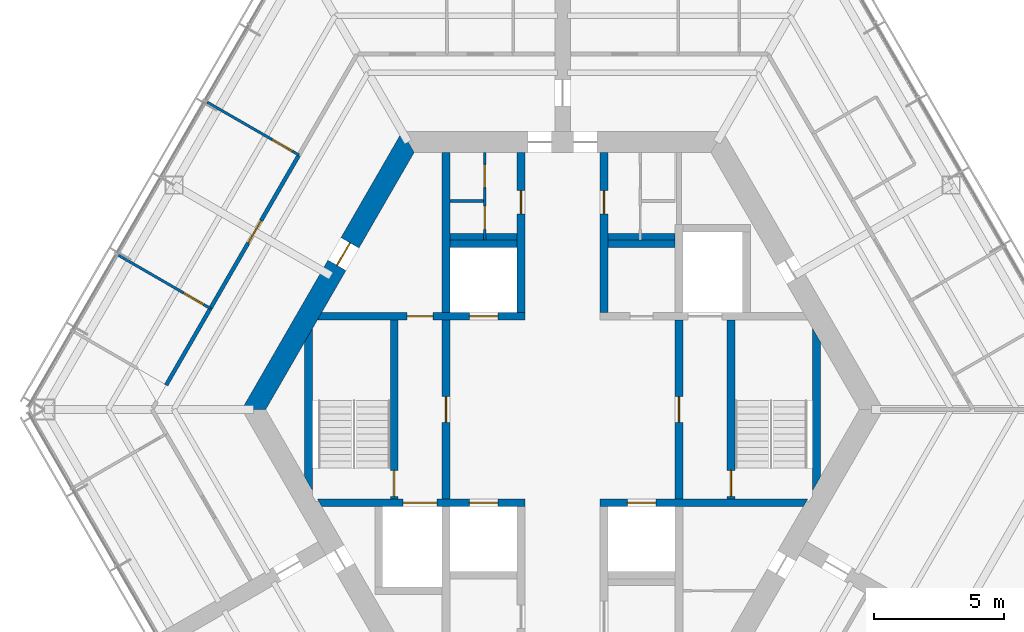
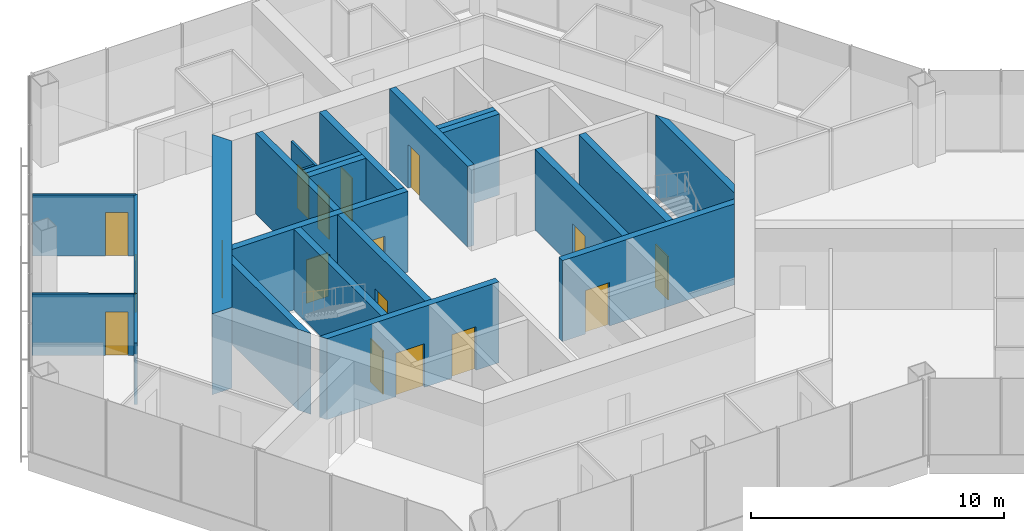
# One storey, part 8 of 13: 23 walls, 17 doors, 17 openings.
"""IFC4 building model written with IfcOpenShell, lengths in metres."""

from ifc_helpers import new_model, si_unit, direction, frame, frame_2d, origin, place, context, subcontext, project, spatial, polyline, rectangle, outline, extrude, material, layer, layer_set, type_object, element, fill, save


model = new_model("IFC4")

# Units and contexts
model_context = context("Model", 3, precision=1e-05, world=origin(), true_north=direction((0.0, 1.0)))
body_context = subcontext(model_context, "Body", "Model", "MODEL_VIEW")
ifc_project = project(units=[si_unit("LENGTHUNIT", "METRE"), si_unit("AREAUNIT", "SQUARE_METRE"), si_unit("VOLUMEUNIT", "CUBIC_METRE"), si_unit("PLANEANGLEUNIT", "RADIAN"), si_unit("MASSUNIT", "GRAM", prefix="KILO")], contexts=[model_context])

# Site, building, storey
site_placement = place(None, origin())
site = spatial("IfcSite", under=ifc_project, at=site_placement, CompositionType="ELEMENT")
building_placement = place(site_placement, origin())
building = spatial("IfcBuilding", under=site, at=building_placement, Name="Kasaneha Research Tower", CompositionType="ELEMENT")
storey_placement = place(building_placement, frame((0.0, 0.0, 271.300048828125)))
storey = spatial("IfcBuildingStorey", under=building, at=storey_placement, Name="L68", CompositionType="ELEMENT", Elevation=271.300048828125)

# Wall, openings, doors
ifc_material_1 = material(Name="Concrete Fc60", Category="concrete")
ifc_layer_1 = layer(ifc_material_1, 0.300048828125)
ifc_layer_set_1 = layer_set([ifc_layer_1], Name="Core internal wall 300 Fc60")
wall_type_1 = type_object("IfcWallType", Name="Core internal wall 300 Fc60", PredefinedType="SHEAR", material=ifc_layer_set_1)
wall_1_placement = place(storey_placement, frame((-9.3818359375, 3.60009765625, 0.0), z_axis=(0.0, 0.0, 1.0), x_axis=(1.0, 0.0, 0.0)))
wall_1 = element("IfcWall", 1, at=wall_1_placement, inside=storey, type_object=wall_type_1, Name="Core wall W1W L68", PredefinedType="SHEAR", context=body_context, shape_type="SweptSolid", body=[
    extrude(outline(polyline([(-0.086669921875, -0.14990234375), (3.3818359375, -0.14990234375), (4.3818359375, -0.14990234375), (5.781982421875, -0.14990234375), (6.882080078125, -0.14990234375), (7.931884765625, -0.14990234375), (7.931884765625, 0.14990234375), (6.882080078125, 0.14990234375), (5.781982421875, 0.14990234375), (4.3818359375, 0.14990234375), (3.3818359375, 0.14990234375), (0.086669921875, 0.14990234375), (-0.086669921875, -0.14990234375)])), origin(), (0.0, 0.0, 1.0), 3.89990234375),
])
opening_1_placement = place(wall_1_placement, frame((3.3818359375, 0.0, 0.0)))
opening_1 = element("IfcOpeningElement", 2, at=opening_1_placement, cuts=wall_1, Name="Opening L68-D12", PredefinedType="OPENING", context=body_context, shape_type="SweptSolid", body=[
    extrude(rectangle(XDim=1.0, YDim=2.10009765625, at=frame_2d((0.5, 1.050048828125))), frame((0.0, 0.16015625, 0.0), z_axis=(0.0, -1.0, 0.0), x_axis=(1.0, 0.0, 0.0)), (0.0, 0.0, 1.0), 0.320068359375),
])
opening_2_placement = place(wall_1_placement, frame((5.781982421875, 0.0, 0.0)))
opening_2 = element("IfcOpeningElement", 3, at=opening_2_placement, cuts=wall_1, Name="Opening LD-LH2-L68", PredefinedType="OPENING", context=body_context, shape_type="SweptSolid", body=[
    extrude(rectangle(XDim=1.10009765625, YDim=2.10009765625, at=frame_2d((0.550048828125, 1.050048828125))), frame((0.0, 0.16015625, 0.0), z_axis=(0.0, -1.0, 0.0), x_axis=(1.0, 0.0, 0.0)), (0.0, 0.0, 1.0), 0.320068359375),
])
ifc_material_2 = material(Name="Steel", Category="steel")
door_type_1 = type_object("IfcDoorType", Name="Lift landing door 1100x2100", OperationType="DOUBLE_DOOR_SLIDING", PredefinedType="DOOR", material=ifc_material_2)
door_1_placement = place(opening_2_placement, origin())
door_1 = element("IfcDoor", 4, at=door_1_placement, inside=storey, type_object=door_type_1, Name="Landing door LH2 LD-LH2-L68", OperationType="DOUBLE_DOOR_SLIDING", OverallHeight=2.10009765625, OverallWidth=1.10009765625, PredefinedType="DOOR", context=body_context, shape_type="SweptSolid", body=[
    extrude(rectangle(XDim=1.10009765625, YDim=2.10009765625, at=frame_2d((0.550048828125, 1.050048828125))), frame((0.0, 0.02490234375, 0.0), z_axis=(0.0, -1.0, 0.0), x_axis=(1.0, 0.0, 0.0)), (0.0, 0.0, 1.0), 0.050048828125),
])
fill(opening_2, door_1)
ifc_material_3 = material(Name="Steel", Category="steel")
door_type_2 = type_object("IfcDoorType", Name="Specified fire door FD60 1000x2100", OperationType="NOTDEFINED", PredefinedType="DOOR", material=ifc_material_3)
door_2_placement = place(opening_1_placement, origin())
door_2 = element("IfcDoor", 5, at=door_2_placement, inside=storey, type_object=door_type_2, Name="Vestibule to lobby door L68-D12", OperationType="SINGLE_SWING_LEFT", OverallHeight=2.10009765625, OverallWidth=1.0, PredefinedType="DOOR", context=body_context, shape_type="SweptSolid", body=[
    extrude(rectangle(XDim=1.0, YDim=2.10009765625, at=frame_2d((0.5, 1.050048828125))), frame((0.0, 0.02490234375, 0.0), z_axis=(0.0, -1.0, 0.0), x_axis=(1.0, 0.0, 0.0)), (0.0, 0.0, 1.0), 0.050048828125),
])
fill(opening_1, door_2)

wall_2_placement = place(storey_placement, frame((-9.3818359375, -3.60009765625, 0.0), z_axis=(0.0, 0.0, 1.0), x_axis=(1.0, 0.0, 0.0)))
wall_2 = element("IfcWall", 6, at=wall_2_placement, inside=storey, type_object=wall_type_1, Name="Core wall W2W L68", PredefinedType="SHEAR", context=body_context, shape_type="SweptSolid", body=[
    extrude(outline(polyline([(0.086669921875, -0.14990234375), (3.23193359375, -0.14990234375), (4.531982421875, -0.14990234375), (5.781982421875, -0.14990234375), (6.882080078125, -0.14990234375), (7.931884765625, -0.14990234375), (7.931884765625, 0.14990234375), (6.882080078125, 0.14990234375), (5.781982421875, 0.14990234375), (4.531982421875, 0.14990234375), (3.23193359375, 0.14990234375), (-0.086669921875, 0.14990234375), (0.086669921875, -0.14990234375)])), origin(), (0.0, 0.0, 1.0), 3.89990234375),
])
opening_3_placement = place(wall_2_placement, frame((5.781982421875, 0.0, 0.0)))
opening_3 = element("IfcOpeningElement", 7, at=opening_3_placement, cuts=wall_2, Name="Opening LD-LH1-L68", PredefinedType="OPENING", context=body_context, shape_type="SweptSolid", body=[
    extrude(rectangle(XDim=1.10009765625, YDim=2.10009765625, at=frame_2d((0.550048828125, 1.050048828125))), frame((0.0, 0.16015625, 0.0), z_axis=(0.0, -1.0, 0.0), x_axis=(1.0, 0.0, 0.0)), (0.0, 0.0, 1.0), 0.320068359375),
])
opening_4_placement = place(wall_2_placement, frame((3.23193359375, 0.0, 0.0)))
opening_4 = element("IfcOpeningElement", 8, at=opening_4_placement, cuts=wall_2, Name="Opening LD-FL2-L68", PredefinedType="OPENING", context=body_context, shape_type="SweptSolid", body=[
    extrude(rectangle(XDim=1.300048828125, YDim=2.10009765625, at=frame_2d((0.64990234375, 1.050048828125))), frame((0.0, 0.16015625, 0.0), z_axis=(0.0, -1.0, 0.0), x_axis=(1.0, 0.0, 0.0)), (0.0, 0.0, 1.0), 0.320068359375),
])
door_3_placement = place(opening_3_placement, origin())
door_3 = element("IfcDoor", 9, at=door_3_placement, inside=storey, type_object=door_type_1, Name="Landing door LH1 LD-LH1-L68", OperationType="DOUBLE_DOOR_SLIDING", OverallHeight=2.10009765625, OverallWidth=1.10009765625, PredefinedType="DOOR", context=body_context, shape_type="SweptSolid", body=[
    extrude(rectangle(XDim=1.10009765625, YDim=2.10009765625, at=frame_2d((0.550048828125, 1.050048828125))), frame((0.0, 0.02490234375, 0.0), z_axis=(0.0, -1.0, 0.0), x_axis=(1.0, 0.0, 0.0)), (0.0, 0.0, 1.0), 0.050048828125),
])
fill(opening_3, door_3)
ifc_material_4 = material(Name="Steel", Category="steel")
door_type_3 = type_object("IfcDoorType", Name="Lift landing door 1300x2100", OperationType="DOUBLE_DOOR_SLIDING", PredefinedType="DOOR", material=ifc_material_4)
door_4_placement = place(opening_4_placement, origin())
door_4 = element("IfcDoor", 10, at=door_4_placement, inside=storey, type_object=door_type_3, Name="Landing door FL2 LD-FL2-L68", OperationType="DOUBLE_DOOR_SLIDING", OverallHeight=2.10009765625, OverallWidth=1.300048828125, PredefinedType="DOOR", context=body_context, shape_type="SweptSolid", body=[
    extrude(rectangle(XDim=1.300048828125, YDim=2.10009765625, at=frame_2d((0.64990234375, 1.050048828125))), frame((0.0, 0.02490234375, 0.0), z_axis=(0.0, -1.0, 0.0), x_axis=(1.0, 0.0, 0.0)), (0.0, 0.0, 1.0), 0.050048828125),
])
fill(opening_4, door_4)

# Wall, opening, door
wall_3_placement = place(storey_placement, frame((1.449951171875, -3.60009765625, 0.0), z_axis=(0.0, 0.0, 1.0), x_axis=(1.0, 0.0, 0.0)))
wall_3 = element("IfcWall", 11, at=wall_3_placement, inside=storey, type_object=wall_type_1, Name="Core wall W2E L68", PredefinedType="SHEAR", context=body_context, shape_type="SweptSolid", body=[
    extrude(outline(polyline([(0.0, -0.14990234375), (1.050048828125, -0.14990234375), (2.150146484375, -0.14990234375), (7.84521484375, -0.14990234375), (8.0185546875, 0.14990234375), (2.150146484375, 0.14990234375), (1.050048828125, 0.14990234375), (0.0, 0.14990234375), (0.0, -0.14990234375)])), origin(), (0.0, 0.0, 1.0), 3.89990234375),
])
opening_5_placement = place(wall_3_placement, frame((1.050048828125, 0.0, 0.0)))
opening_5 = element("IfcOpeningElement", 12, at=opening_5_placement, cuts=wall_3, Name="Opening LD-LH3-L68", PredefinedType="OPENING", context=body_context, shape_type="SweptSolid", body=[
    extrude(rectangle(XDim=1.10009765625, YDim=2.10009765625, at=frame_2d((0.550048828125, 1.050048828125))), frame((0.0, 0.16015625, 0.0), z_axis=(0.0, -1.0, 0.0), x_axis=(1.0, 0.0, 0.0)), (0.0, 0.0, 1.0), 0.320068359375),
])
door_5_placement = place(opening_5_placement, origin())
door_5 = element("IfcDoor", 13, at=door_5_placement, inside=storey, type_object=door_type_1, Name="Landing door LH3 LD-LH3-L68", OperationType="DOUBLE_DOOR_SLIDING", OverallHeight=2.10009765625, OverallWidth=1.10009765625, PredefinedType="DOOR", context=body_context, shape_type="SweptSolid", body=[
    extrude(rectangle(XDim=1.10009765625, YDim=2.10009765625, at=frame_2d((0.550048828125, 1.050048828125))), frame((0.0, 0.02490234375, 0.0), z_axis=(0.0, -1.0, 0.0), x_axis=(1.0, 0.0, 0.0)), (0.0, 0.0, 1.0), 0.050048828125),
])
fill(opening_5, door_5)

wall_4_placement = place(storey_placement, frame((-1.60009765625, 3.75, 0.0), z_axis=(0.0, 0.0, 1.0), x_axis=(0.0, 1.0, 0.0)))
wall_4 = element("IfcWall", 14, at=wall_4_placement, inside=storey, type_object=wall_type_1, Name="Core wall CNW L68", PredefinedType="SHEAR", context=body_context, shape_type="SweptSolid", body=[
    extrude(rectangle(XDim=6.175048828125, YDim=0.300048828125, at=frame_2d((3.08740234375, 0.0))), origin(), (0.0, 0.0, 1.0), 3.89990234375),
])
opening_6_placement = place(wall_4_placement, frame((3.800048828125, 0.0, 0.0)))
opening_6 = element("IfcOpeningElement", 15, at=opening_6_placement, cuts=wall_4, Name="Opening L68-D13", PredefinedType="OPENING", context=body_context, shape_type="SweptSolid", body=[
    extrude(rectangle(XDim=0.89990234375, YDim=2.10009765625, at=frame_2d((0.449951171875, 1.050048828125))), frame((0.0, 0.16015625, 0.0), z_axis=(0.0, -1.0, 0.0), x_axis=(1.0, 0.0, 0.0)), (0.0, 0.0, 1.0), 0.320068359375),
])
ifc_material_5 = material(Name="Steel", Category="steel")
door_type_4 = type_object("IfcDoorType", Name="Toilet door FD20 900x2100", OperationType="NOTDEFINED", PredefinedType="DOOR", material=ifc_material_5)
door_6_placement = place(opening_6_placement, origin())
door_6 = element("IfcDoor", 16, at=door_6_placement, inside=storey, type_object=door_type_4, Name="Men's WC door L68-D13", OperationType="SINGLE_SWING_LEFT", OverallHeight=2.10009765625, OverallWidth=0.89990234375, PredefinedType="DOOR", context=body_context, shape_type="SweptSolid", body=[
    extrude(rectangle(XDim=0.89990234375, YDim=2.10009765625, at=frame_2d((0.449951171875, 1.050048828125))), frame((0.0, 0.02490234375, 0.0), z_axis=(0.0, -1.0, 0.0), x_axis=(1.0, 0.0, 0.0)), (0.0, 0.0, 1.0), 0.050048828125),
])
fill(opening_6, door_6)

wall_5_placement = place(storey_placement, frame((1.60009765625, 3.75, 0.0), z_axis=(0.0, 0.0, 1.0), x_axis=(0.0, 1.0, 0.0)))
wall_5 = element("IfcWall", 17, at=wall_5_placement, inside=storey, type_object=wall_type_1, Name="Core wall CNE L68", PredefinedType="SHEAR", context=body_context, shape_type="SweptSolid", body=[
    extrude(rectangle(XDim=6.175048828125, YDim=0.300048828125, at=frame_2d((3.08740234375, 0.0))), origin(), (0.0, 0.0, 1.0), 3.89990234375),
])
opening_7_placement = place(wall_5_placement, frame((3.800048828125, 0.0, 0.0)))
opening_7 = element("IfcOpeningElement", 18, at=opening_7_placement, cuts=wall_5, Name="Opening L68-D14", PredefinedType="OPENING", context=body_context, shape_type="SweptSolid", body=[
    extrude(rectangle(XDim=0.89990234375, YDim=2.10009765625, at=frame_2d((0.449951171875, 1.050048828125))), frame((0.0, 0.16015625, 0.0), z_axis=(0.0, -1.0, 0.0), x_axis=(1.0, 0.0, 0.0)), (0.0, 0.0, 1.0), 0.320068359375),
])
door_7_placement = place(opening_7_placement, origin())
door_7 = element("IfcDoor", 19, at=door_7_placement, inside=storey, type_object=door_type_4, Name="Women's WC door L68-D14", OperationType="SINGLE_SWING_LEFT", OverallHeight=2.10009765625, OverallWidth=0.89990234375, PredefinedType="DOOR", context=body_context, shape_type="SweptSolid", body=[
    extrude(rectangle(XDim=0.89990234375, YDim=2.10009765625, at=frame_2d((0.449951171875, 1.050048828125))), frame((0.0, 0.02490234375, 0.0), z_axis=(0.0, -1.0, 0.0), x_axis=(1.0, 0.0, 0.0)), (0.0, 0.0, 1.0), 0.050048828125),
])
fill(opening_7, door_7)

wall_6_placement = place(storey_placement, frame((-4.5, -3.449951171875, 0.0), z_axis=(0.0, 0.0, 1.0), x_axis=(0.0, 1.0, 0.0)))
wall_6 = element("IfcWall", 20, at=wall_6_placement, inside=storey, type_object=wall_type_1, Name="Core wall LBW L68", PredefinedType="SHEAR", context=body_context, shape_type="SweptSolid", body=[
    extrude(rectangle(XDim=6.89990234375, YDim=0.300048828125, at=frame_2d((3.449951171875, 0.0))), origin(), (0.0, 0.0, 1.0), 3.89990234375),
])
opening_8_placement = place(wall_6_placement, frame((2.949951171875, 0.0, 0.0)))
opening_8 = element("IfcOpeningElement", 21, at=opening_8_placement, cuts=wall_6, Name="Opening L68-D09", PredefinedType="OPENING", context=body_context, shape_type="SweptSolid", body=[
    extrude(rectangle(XDim=1.0, YDim=2.10009765625, at=frame_2d((0.5, 1.050048828125))), frame((0.0, 0.16015625, 0.0), z_axis=(0.0, -1.0, 0.0), x_axis=(1.0, 0.0, 0.0)), (0.0, 0.0, 1.0), 0.320068359375),
])
door_8_placement = place(opening_8_placement, origin())
door_8 = element("IfcDoor", 22, at=door_8_placement, inside=storey, type_object=door_type_2, Name="Lift lobby door west L68-D09", OperationType="SINGLE_SWING_LEFT", OverallHeight=2.10009765625, OverallWidth=1.0, PredefinedType="DOOR", context=body_context, shape_type="SweptSolid", body=[
    extrude(rectangle(XDim=1.0, YDim=2.10009765625, at=frame_2d((0.5, 1.050048828125))), frame((0.0, 0.02490234375, 0.0), z_axis=(0.0, -1.0, 0.0), x_axis=(1.0, 0.0, 0.0)), (0.0, 0.0, 1.0), 0.050048828125),
])
fill(opening_8, door_8)

wall_7_placement = place(storey_placement, frame((4.5, -3.449951171875, 0.0), z_axis=(0.0, 0.0, 1.0), x_axis=(0.0, 1.0, 0.0)))
wall_7 = element("IfcWall", 23, at=wall_7_placement, inside=storey, type_object=wall_type_1, Name="Core wall LBE L68", PredefinedType="SHEAR", context=body_context, shape_type="SweptSolid", body=[
    extrude(rectangle(XDim=6.89990234375, YDim=0.300048828125, at=frame_2d((3.449951171875, 0.0))), origin(), (0.0, 0.0, 1.0), 3.89990234375),
])
opening_9_placement = place(wall_7_placement, frame((2.949951171875, 0.0, 0.0)))
opening_9 = element("IfcOpeningElement", 24, at=opening_9_placement, cuts=wall_7, Name="Opening L68-D08", PredefinedType="OPENING", context=body_context, shape_type="SweptSolid", body=[
    extrude(rectangle(XDim=1.0, YDim=2.10009765625, at=frame_2d((0.5, 1.050048828125))), frame((0.0, 0.16015625, 0.0), z_axis=(0.0, -1.0, 0.0), x_axis=(1.0, 0.0, 0.0)), (0.0, 0.0, 1.0), 0.320068359375),
])
door_9_placement = place(opening_9_placement, origin())
door_9 = element("IfcDoor", 25, at=door_9_placement, inside=storey, type_object=door_type_2, Name="Lift lobby door east L68-D08", OperationType="SINGLE_SWING_LEFT", OverallHeight=2.10009765625, OverallWidth=1.0, PredefinedType="DOOR", context=body_context, shape_type="SweptSolid", body=[
    extrude(rectangle(XDim=1.0, YDim=2.10009765625, at=frame_2d((0.5, 1.050048828125))), frame((0.0, 0.02490234375, 0.0), z_axis=(0.0, -1.0, 0.0), x_axis=(1.0, 0.0, 0.0)), (0.0, 0.0, 1.0), 0.050048828125),
])
fill(opening_9, door_9)

wall_8_placement = place(storey_placement, frame((-6.5, -3.449951171875, 0.0), z_axis=(0.0, 0.0, 1.0), x_axis=(0.0, 1.0, 0.0)))
wall_8 = element("IfcWall", 26, at=wall_8_placement, inside=storey, type_object=wall_type_1, Name="Core wall ANW L68", PredefinedType="SHEAR", context=body_context, shape_type="SweptSolid", body=[
    extrude(rectangle(XDim=6.89990234375, YDim=0.300048828125, at=frame_2d((3.449951171875, 0.0))), origin(), (0.0, 0.0, 1.0), 3.89990234375),
])
opening_10_placement = place(wall_8_placement, frame((0.10009765625, 0.0, 0.0)))
opening_10 = element("IfcOpeningElement", 27, at=opening_10_placement, cuts=wall_8, Name="Opening L68-D11", PredefinedType="OPENING", context=body_context, shape_type="SweptSolid", body=[
    extrude(rectangle(XDim=1.0, YDim=2.10009765625, at=frame_2d((0.5, 1.050048828125))), frame((0.0, 0.16015625, 0.0), z_axis=(0.0, -1.0, 0.0), x_axis=(1.0, 0.0, 0.0)), (0.0, 0.0, 1.0), 0.320068359375),
])
door_10_placement = place(opening_10_placement, origin())
door_10 = element("IfcDoor", 28, at=door_10_placement, inside=storey, type_object=door_type_2, Name="Stair 2 door L68-D11", OperationType="SINGLE_SWING_LEFT", OverallHeight=2.10009765625, OverallWidth=1.0, PredefinedType="DOOR", context=body_context, shape_type="SweptSolid", body=[
    extrude(rectangle(XDim=1.0, YDim=2.10009765625, at=frame_2d((0.5, 1.050048828125))), frame((0.0, 0.02490234375, 0.0), z_axis=(0.0, -1.0, 0.0), x_axis=(1.0, 0.0, 0.0)), (0.0, 0.0, 1.0), 0.050048828125),
])
fill(opening_10, door_10)

wall_9_placement = place(storey_placement, frame((6.5, -3.449951171875, 0.0), z_axis=(0.0, 0.0, 1.0), x_axis=(0.0, 1.0, 0.0)))
wall_9 = element("IfcWall", 29, at=wall_9_placement, inside=storey, type_object=wall_type_1, Name="Core wall ANE L68", PredefinedType="SHEAR", context=body_context, shape_type="SweptSolid", body=[
    extrude(rectangle(XDim=6.89990234375, YDim=0.300048828125, at=frame_2d((3.449951171875, 0.0))), origin(), (0.0, 0.0, 1.0), 3.89990234375),
])
opening_11_placement = place(wall_9_placement, frame((0.10009765625, 0.0, 0.0)))
opening_11 = element("IfcOpeningElement", 30, at=opening_11_placement, cuts=wall_9, Name="Opening L68-D10", PredefinedType="OPENING", context=body_context, shape_type="SweptSolid", body=[
    extrude(rectangle(XDim=1.0, YDim=2.10009765625, at=frame_2d((0.5, 1.050048828125))), frame((0.0, 0.16015625, 0.0), z_axis=(0.0, -1.0, 0.0), x_axis=(1.0, 0.0, 0.0)), (0.0, 0.0, 1.0), 0.320068359375),
])
door_11_placement = place(opening_11_placement, origin())
door_11 = element("IfcDoor", 31, at=door_11_placement, inside=storey, type_object=door_type_2, Name="Stair 1 door L68-D10", OperationType="SINGLE_SWING_LEFT", OverallHeight=2.10009765625, OverallWidth=1.0, PredefinedType="DOOR", context=body_context, shape_type="SweptSolid", body=[
    extrude(rectangle(XDim=1.0, YDim=2.10009765625, at=frame_2d((0.5, 1.050048828125))), frame((0.0, 0.02490234375, 0.0), z_axis=(0.0, -1.0, 0.0), x_axis=(1.0, 0.0, 0.0)), (0.0, 0.0, 1.0), 0.050048828125),
])
fill(opening_11, door_11)

# Walls
wall_10_placement = place(storey_placement, frame((-4.5, 3.75, 0.0), z_axis=(0.0, 0.0, 1.0), x_axis=(0.0, 1.0, 0.0)))
element("IfcWall", 32, at=wall_10_placement, inside=storey, type_object=wall_type_1, Name="Core wall VNW L68", PredefinedType="SHEAR", context=body_context, shape_type="SweptSolid", body=[
    extrude(rectangle(XDim=6.175048828125, YDim=0.300048828125, at=frame_2d((3.08740234375, 0.0))), origin(), (0.0, 0.0, 1.0), 3.89990234375),
])
for number, where, z_axis, x_axis, name in (
    (33, (-4.35009765625, 6.39990234375, 0.0), (0.0, 0.0, 1.0), (1.0, 0.0, 0.0), "Core wall N1N L68"),
    (34, (1.75, 6.39990234375, 0.0), (0.0, 0.0, 1.0), (1.0, 0.0, 0.0), "Core wall N3N L68"),
):
    element("IfcWall", number, at=place(storey_placement, frame(where, z_axis=z_axis, x_axis=x_axis)), inside=storey, type_object=wall_type_1, Name=name, PredefinedType="SHEAR", context=body_context, shape_type="SweptSolid", body=[
        extrude(rectangle(XDim=2.60009765625, YDim=0.300048828125, at=frame_2d((1.300048828125, 0.0))), origin(), (0.0, 0.0, 1.0), 3.89990234375),
    ])
wall_11_placement = place(storey_placement, frame((9.807861328125, -2.8623046875, 0.0), z_axis=(0.0, 0.0, 1.0), x_axis=(0.0, 1.0, 0.0)))
element("IfcWall", 35, at=wall_11_placement, inside=storey, type_object=wall_type_1, Name="Core wall STE L68", PredefinedType="SHEAR", context=body_context, shape_type="SweptSolid", body=[
    extrude(outline(polyline([(0.259765625, -0.14990234375), (5.46484375, -0.14990234375), (5.984375, 0.14990234375), (-0.259765625, 0.14990234375), (0.259765625, -0.14990234375)])), origin(), (0.0, 0.0, 1.0), 3.89990234375),
])
wall_12_placement = place(storey_placement, frame((-9.807861328125, -2.8623046875, 0.0), z_axis=(0.0, 0.0, 1.0), x_axis=(0.0, 1.0, 0.0)))
element("IfcWall", 36, at=wall_12_placement, inside=storey, type_object=wall_type_1, Name="Core wall STW L68", PredefinedType="SHEAR", context=body_context, shape_type="SweptSolid", body=[
    extrude(outline(polyline([(-0.259765625, -0.14990234375), (5.984375, -0.14990234375), (5.46484375, 0.14990234375), (0.259765625, 0.14990234375), (-0.259765625, -0.14990234375)])), origin(), (0.0, 0.0, 1.0), 3.89990234375),
])

# Wall, opening, door
ifc_material_6 = material(Name="Concrete Fc60", Category="concrete")
ifc_layer_2 = layer(ifc_material_6, 0.800048828125)
ifc_layer_set_2 = layer_set([ifc_layer_2], Name="Core wall 800 Fc60")
wall_type_2 = type_object("IfcWallType", Name="Core wall 800 Fc60", PredefinedType="SHEAR", material=ifc_layer_set_2)
wall_13_placement = place(storey_placement, frame((-5.961181640625, 10.324951171875, 0.0), z_axis=(0.0, 0.0, 1.0), x_axis=(-0.500004296715, -0.866022923061, 0.0)))
wall_13 = element("IfcWall", 37, at=wall_13_placement, inside=storey, type_object=wall_type_2, Name="Core wall 150 L68", PredefinedType="SHEAR", context=body_context, shape_type="SweptSolid", body=[
    extrude(outline(polyline([(-0.23095703125, -0.39990234375), (4.494140625, -0.39990234375), (5.494140625, -0.39990234375), (12.1533203125, -0.39990234375), (11.69140625, 0.39990234375), (5.494140625, 0.39990234375), (4.494140625, 0.39990234375), (0.23095703125, 0.39990234375), (-0.23095703125, -0.39990234375)])), origin(), (0.0, 0.0, 1.0), 3.89990234375),
])
opening_12_placement = place(wall_13_placement, frame((4.494140625, 0.0, 0.0)))
opening_12 = element("IfcOpeningElement", 38, at=opening_12_placement, cuts=wall_13, Name="Opening L68-D07", PredefinedType="OPENING", context=body_context, shape_type="SweptSolid", body=[
    extrude(rectangle(XDim=1.0, YDim=2.10009765625, at=frame_2d((0.5, 1.050048828125))), frame((0.0, 0.41015625, 0.0), z_axis=(0.0, -1.0, 0.0), x_axis=(1.0, 0.0, 0.0)), (0.0, 0.0, 1.0), 0.820068359375),
])
ifc_material_7 = material(Name="Steel", Category="steel")
door_type_5 = type_object("IfcDoorType", Name="Fire door FD20 1000x2100", OperationType="NOTDEFINED", PredefinedType="DOOR", material=ifc_material_7)
door_12_placement = place(opening_12_placement, origin())
door_12 = element("IfcDoor", 39, at=door_12_placement, inside=storey, type_object=door_type_5, Name="Vestibule door L68-D07", OperationType="SINGLE_SWING_LEFT", OverallHeight=2.10009765625, OverallWidth=1.0, PredefinedType="DOOR", context=body_context, shape_type="SweptSolid", body=[
    extrude(rectangle(XDim=1.0, YDim=2.10009765625, at=frame_2d((0.5, 1.050048828125))), frame((0.0, 0.02490234375, 0.0), z_axis=(0.0, -1.0, 0.0), x_axis=(1.0, 0.0, 0.0)), (0.0, 0.0, 1.0), 0.050048828125),
])
fill(opening_12, door_12)

# Wall, openings, doors
ifc_material_8 = material(Name="Gypsum board on steel studs, one layer each side", Category="steel")
ifc_layer_3 = layer(ifc_material_8, 0.10009765625)
ifc_layer_set_3 = layer_set([ifc_layer_3], Name="Office partition 100")
wall_type_3 = type_object("IfcWallType", Name="Office partition 100", PredefinedType="PARTITIONING", material=ifc_layer_set_3)
wall_14_placement = place(storey_placement, frame((-3.0, 6.550048828125, 0.0), z_axis=(0.0, 0.0, 1.0), x_axis=(0.0, 1.0, 0.0)))
wall_14 = element("IfcWall", 40, at=wall_14_placement, inside=storey, type_object=wall_type_3, Name="Office partition TBM1 L68", PredefinedType="PARTITIONING", context=body_context, shape_type="SweptSolid", body=[
    extrude(rectangle(XDim=3.375, YDim=0.10009765625, at=frame_2d((1.6875, 0.0))), origin(), (0.0, 0.0, 1.0), 2.949951171875),
])
opening_13_placement = place(wall_14_placement, frame((2.012451171875, 0.0, 0.0)))
opening_13 = element("IfcOpeningElement", 41, at=opening_13_placement, cuts=wall_14, Name="Opening L68-D21", PredefinedType="OPENING", context=body_context, shape_type="SweptSolid", body=[
    extrude(rectangle(XDim=0.89990234375, YDim=2.10009765625, at=frame_2d((0.449951171875, 1.050048828125))), frame((0.0, 0.06005859375, 0.0), z_axis=(0.0, -1.0, 0.0), x_axis=(1.0, 0.0, 0.0)), (0.0, 0.0, 1.0), 0.1201171875),
])
opening_14_placement = place(wall_14_placement, frame((0.39990234375, 0.0, 0.0)))
opening_14 = element("IfcOpeningElement", 42, at=opening_14_placement, cuts=wall_14, Name="Opening L68-D22", PredefinedType="OPENING", context=body_context, shape_type="SweptSolid", body=[
    extrude(rectangle(XDim=0.89990234375, YDim=2.10009765625, at=frame_2d((0.449951171875, 1.050048828125))), frame((0.0, 0.06005859375, 0.0), z_axis=(0.0, -1.0, 0.0), x_axis=(1.0, 0.0, 0.0)), (0.0, 0.0, 1.0), 0.1201171875),
])
ifc_material_9 = material(Name="Steel", Category="steel")
door_type_6 = type_object("IfcDoorType", Name="Toilet lobby door FD30 900x2100", OperationType="NOTDEFINED", PredefinedType="DOOR", material=ifc_material_9)
door_13_placement = place(opening_13_placement, origin())
door_13 = element("IfcDoor", 43, at=door_13_placement, inside=storey, type_object=door_type_6, Name="Men's WC door L68-D21", OperationType="SINGLE_SWING_RIGHT", OverallHeight=2.10009765625, OverallWidth=0.89990234375, PredefinedType="DOOR", context=body_context, shape_type="SweptSolid", body=[
    extrude(rectangle(XDim=0.89990234375, YDim=2.10009765625, at=frame_2d((0.449951171875, 1.050048828125))), frame((0.0, 0.02490234375, 0.0), z_axis=(0.0, -1.0, 0.0), x_axis=(1.0, 0.0, 0.0)), (0.0, 0.0, 1.0), 0.050048828125),
])
fill(opening_13, door_13)
door_14_placement = place(opening_14_placement, origin())
door_14 = element("IfcDoor", 44, at=door_14_placement, inside=storey, type_object=door_type_6, Name="Cleaner's store door L68-D22", OperationType="SINGLE_SWING_RIGHT", OverallHeight=2.10009765625, OverallWidth=0.89990234375, PredefinedType="DOOR", context=body_context, shape_type="SweptSolid", body=[
    extrude(rectangle(XDim=0.89990234375, YDim=2.10009765625, at=frame_2d((0.449951171875, 1.050048828125))), frame((0.0, 0.02490234375, 0.0), z_axis=(0.0, -1.0, 0.0), x_axis=(1.0, 0.0, 0.0)), (0.0, 0.0, 1.0), 0.050048828125),
])
fill(opening_14, door_14)

# Wall
wall_15_placement = place(storey_placement, frame((-3.050048828125, 8.050048828125, 0.0), z_axis=(0.0, 0.0, 1.0), x_axis=(-1.0, 0.0, 0.0)))
element("IfcWall", 45, at=wall_15_placement, inside=storey, type_object=wall_type_3, Name="Office partition TBM2 L68", PredefinedType="PARTITIONING", context=body_context, shape_type="SweptSolid", body=[
    extrude(rectangle(XDim=1.300048828125, YDim=0.10009765625, at=frame_2d((0.64990234375, 0.0))), origin(), (0.0, 0.0, 1.0), 2.949951171875),
])

# Wall, opening, door
wall_16_placement = place(storey_placement, frame((-17.15380859375, 5.9599609375, 0.0), z_axis=(0.0, 0.0, 1.0), x_axis=(0.8654628796, -0.500973057194, 0.0)))
wall_16 = element("IfcWall", 46, at=wall_16_placement, inside=storey, type_object=wall_type_3, Name="Office partition FBN08 L68", PredefinedType="PARTITIONING", context=body_context, shape_type="SweptSolid", body=[
    extrude(rectangle(XDim=4.110595703125, YDim=0.10009765625, at=frame_2d((2.05517578125, 0.0))), origin(), (0.0, 0.0, 1.0), 2.949951171875),
])
opening_15_placement = place(wall_16_placement, frame((2.910400390625, 0.0, 0.0)))
opening_15 = element("IfcOpeningElement", 47, at=opening_15_placement, cuts=wall_16, Name="Opening L68-D36", PredefinedType="OPENING", context=body_context, shape_type="SweptSolid", body=[
    extrude(rectangle(XDim=0.89990234375, YDim=2.10009765625, at=frame_2d((0.449951171875, 1.050048828125))), frame((0.0, 0.06005859375, 0.0), z_axis=(0.0, -1.0, 0.0), x_axis=(1.0, 0.0, 0.0)), (0.0, 0.0, 1.0), 0.1201171875),
])
ifc_material_10 = material(Name="Timber veneer", Category="wood")
door_type_7 = type_object("IfcDoorType", Name="Office door 900x2100", OperationType="SINGLE_SWING_LEFT", PredefinedType="DOOR", material=ifc_material_10)
door_15_placement = place(opening_15_placement, origin())
door_15 = element("IfcDoor", 48, at=door_15_placement, inside=storey, type_object=door_type_7, Name="Manager's office door L68-D36", OperationType="SINGLE_SWING_RIGHT", OverallHeight=2.10009765625, OverallWidth=0.89990234375, PredefinedType="DOOR", context=body_context, shape_type="SweptSolid", body=[
    extrude(rectangle(XDim=0.89990234375, YDim=2.10009765625, at=frame_2d((0.449951171875, 1.050048828125))), frame((0.0, 0.02490234375, 0.0), z_axis=(0.0, -1.0, 0.0), x_axis=(1.0, 0.0, 0.0)), (0.0, 0.0, 1.0), 0.050048828125),
])
fill(opening_15, door_15)

wall_17_placement = place(storey_placement, frame((-10.17626953125, 9.82421875, 0.0), z_axis=(0.0, 0.0, 1.0), x_axis=(-0.866587219047, 0.499025642412, 0.0)))
wall_17 = element("IfcWall", 49, at=wall_17_placement, inside=storey, type_object=wall_type_3, Name="Office partition FBN09 L68", PredefinedType="PARTITIONING", context=body_context, shape_type="SweptSolid", body=[
    extrude(rectangle(XDim=4.085693359375, YDim=0.10009765625, at=frame_2d((2.04296875, 0.0))), origin(), (0.0, 0.0, 1.0), 2.949951171875),
])
opening_16_placement = place(wall_17_placement, frame((0.300048828125, 0.0, 0.0)))
opening_16 = element("IfcOpeningElement", 50, at=opening_16_placement, cuts=wall_17, Name="Opening L68-D37", PredefinedType="OPENING", context=body_context, shape_type="SweptSolid", body=[
    extrude(rectangle(XDim=0.89990234375, YDim=2.10009765625, at=frame_2d((0.449951171875, 1.050048828125))), frame((0.0, 0.06005859375, 0.0), z_axis=(0.0, -1.0, 0.0), x_axis=(1.0, 0.0, 0.0)), (0.0, 0.0, 1.0), 0.1201171875),
])
door_16_placement = place(opening_16_placement, origin())
door_16 = element("IfcDoor", 51, at=door_16_placement, inside=storey, type_object=door_type_7, Name="Project room door L68-D37", OperationType="SINGLE_SWING_LEFT", OverallHeight=2.10009765625, OverallWidth=0.89990234375, PredefinedType="DOOR", context=body_context, shape_type="SweptSolid", body=[
    extrude(rectangle(XDim=0.89990234375, YDim=2.10009765625, at=frame_2d((0.449951171875, 1.050048828125))), frame((0.0, 0.02490234375, 0.0), z_axis=(0.0, -1.0, 0.0), x_axis=(1.0, 0.0, 0.0)), (0.0, 0.0, 1.0), 0.050048828125),
])
fill(opening_16, door_16)

# Wall
ifc_material_11 = material(Name="Gypsum board on steel studs, two layers each side", Category="steel")
ifc_layer_4 = layer(ifc_material_11, 0.14990234375)
ifc_layer_set_4 = layer_set([ifc_layer_4], Name="Suite partition 150")
wall_type_4 = type_object("IfcWallType", Name="Suite partition 150", PredefinedType="PARTITIONING", material=ifc_layer_set_4)
wall_18_placement = place(storey_placement, frame((-15.30419921875, 0.9423828125, 0.0), z_axis=(0.0, 0.0, 1.0), x_axis=(0.500032973541, 0.866006365664, 0.0)))
element("IfcWall", 52, at=wall_18_placement, inside=storey, type_object=wall_type_4, Name="Suite partition FBN01 L68", PredefinedType="PARTITIONING", context=body_context, shape_type="SweptSolid", body=[
    extrude(rectangle(XDim=3.425537109375, YDim=0.14990234375, at=frame_2d((1.712890625, 0.0))), origin(), (0.0, 0.0, 1.0), 2.949951171875),
])

# Wall, opening, door
wall_19_placement = place(storey_placement, frame((-13.59619140625, 3.900634765625, 0.0), z_axis=(0.0, 0.0, 1.0), x_axis=(0.499993318678, 0.866029261213, 0.0)))
wall_19 = element("IfcWall", 53, at=wall_19_placement, inside=storey, type_object=wall_type_4, Name="Suite partition FBN05 L68", PredefinedType="PARTITIONING", context=body_context, shape_type="SweptSolid", body=[
    extrude(rectangle(XDim=6.83984375, YDim=0.14990234375, at=frame_2d((3.419921875, 0.0))), origin(), (0.0, 0.0, 1.0), 2.949951171875),
])
opening_17_placement = place(wall_19_placement, frame((2.919921875, 0.0, 0.0)))
opening_17 = element("IfcOpeningElement", 54, at=opening_17_placement, cuts=wall_19, Name="Opening L68-D34", PredefinedType="OPENING", context=body_context, shape_type="SweptSolid", body=[
    extrude(rectangle(XDim=1.0, YDim=2.10009765625, at=frame_2d((0.5, 1.050048828125))), frame((0.0, 0.0849609375, 0.0), z_axis=(0.0, -1.0, 0.0), x_axis=(1.0, 0.0, 0.0)), (0.0, 0.0, 1.0), 0.169921875),
])
ifc_material_12 = material(Name="Steel", Category="steel")
door_type_8 = type_object("IfcDoorType", Name="Suite entrance door FD60 1000x2100", OperationType="NOTDEFINED", PredefinedType="DOOR", material=ifc_material_12)
door_17_placement = place(opening_17_placement, origin())
door_17 = element("IfcDoor", 55, at=door_17_placement, inside=storey, type_object=door_type_8, Name="Suite entrance door L68-D34", OperationType="SINGLE_SWING_RIGHT", OverallHeight=2.10009765625, OverallWidth=1.0, PredefinedType="DOOR", context=body_context, shape_type="SweptSolid", body=[
    extrude(rectangle(XDim=1.0, YDim=2.10009765625, at=frame_2d((0.5, 1.050048828125))), frame((0.0, 0.02490234375, 0.0), z_axis=(0.0, -1.0, 0.0), x_axis=(1.0, 0.0, 0.0)), (0.0, 0.0, 1.0), 0.050048828125),
])
fill(opening_17, door_17)

# Walls
ifc_material_13 = material(Name="Concrete block lining", Category="concrete")
ifc_layer_5 = layer(ifc_material_13, 0.25)
ifc_layer_set_5 = layer_set([ifc_layer_5], Name="WC plumbing wall 250")
wall_type_5 = type_object("IfcWallType", Name="WC plumbing wall 250", PredefinedType="PLUMBINGWALL", material=ifc_layer_set_5)
for number, where, z_axis, x_axis, name in (
    (56, (-4.35009765625, 6.675048828125, 0.0), (0.0, 0.0, 1.0), (1.0, 0.0, 0.0), "WC plumbing wall M L68"),
    (57, (1.75, 6.675048828125, 0.0), (0.0, 0.0, 1.0), (1.0, 0.0, 0.0), "WC plumbing wall F L68"),
):
    element("IfcWall", number, at=place(storey_placement, frame(where, z_axis=z_axis, x_axis=x_axis)), inside=storey, type_object=wall_type_5, Name=name, PredefinedType="PLUMBINGWALL", context=body_context, shape_type="SweptSolid", body=[
        extrude(rectangle(XDim=2.60009765625, YDim=0.25, at=frame_2d((1.300048828125, 0.0))), origin(), (0.0, 0.0, 1.0), 3.89990234375),
    ])

save(model, "model.ifc")
